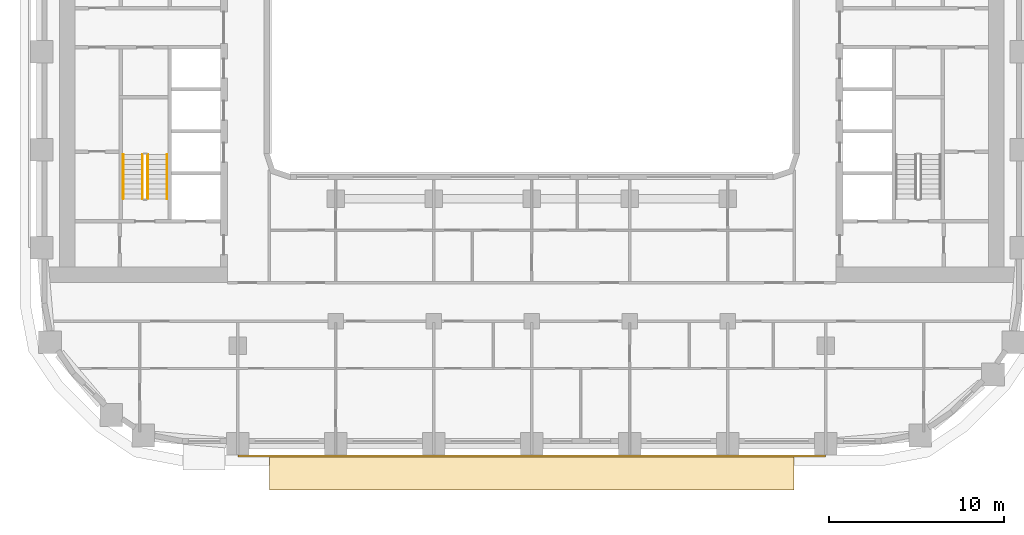
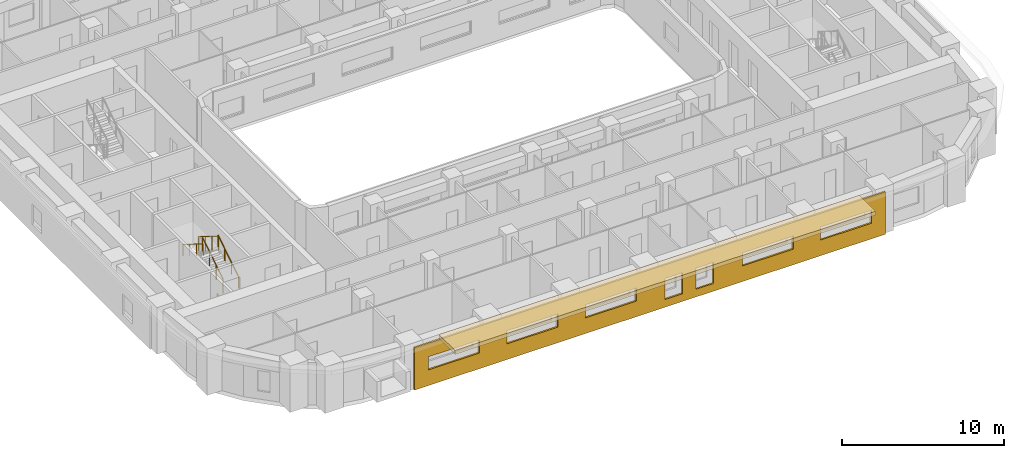
# One storey, part 12 of 21: 4 railings, 2 coverings.
"""IFC4 building model written with IfcOpenShell, lengths in metres."""

from ifc_helpers import new_model, si_unit, direction, frame, origin, origin_2d, place, context, subcontext, project, spatial, polyline, circle, outline, extrude, material, layer, layer_set, type_object, element, save


model = new_model("IFC4")

# Units and contexts
model_context = context("Model", 3, precision=1e-05, world=origin(), true_north=direction((0.0, 1.0)))
body_context = subcontext(model_context, "Body", "Model", "MODEL_VIEW")
ifc_project = project(units=[si_unit("LENGTHUNIT", "METRE"), si_unit("AREAUNIT", "SQUARE_METRE"), si_unit("VOLUMEUNIT", "CUBIC_METRE"), si_unit("PLANEANGLEUNIT", "RADIAN"), si_unit("MASSUNIT", "GRAM", prefix="KILO")], contexts=[model_context])

# Site, building, storey
site_placement = place(None, origin())
site = spatial("IfcSite", under=ifc_project, at=site_placement, CompositionType="ELEMENT")
building_placement = place(site_placement, origin())
building = spatial("IfcBuilding", under=site, at=building_placement, Name="Kiln Ring Residences", CompositionType="ELEMENT")
storey_placement = place(building_placement, frame((0.0, 0.0, 93.800048828125)))
storey = spatial("IfcBuildingStorey", under=building, at=storey_placement, Name="L23", CompositionType="ELEMENT", Elevation=93.800048828125)

# Railings
ifc_material_1 = material(Name="Stainless steel", Category="steel")
railing_type_1 = type_object("IfcRailingType", Name="CORE-STAIR-GUARD", PredefinedType="GUARDRAIL", material=ifc_material_1)
railing_1_placement = place(storey_placement, frame((-21.949951171875, -8.39990234375, 0.175048828125)))
element("IfcRailing", 1, at=railing_1_placement, inside=storey, type_object=railing_type_1, Name="L23 W-STS stair guard 1", PredefinedType="GUARDRAIL", context=body_context, shape_type="SweptSolid", body=[
    extrude(circle(Radius=0.02392578125, at=origin_2d()), frame((0.0, 0.0, 1.076171875), z_axis=(0.0, 0.848007534815, 0.529984170421), x_axis=(-1.0, 0.0, 0.0)), (0.0, 0.0, 1.0), 2.9716796875),
    extrude(circle(Radius=0.02099609375, at=origin_2d()), origin(), (0.0, 0.0, 1.0), 1.052001953125),
    extrude(circle(Radius=0.02099609375, at=origin_2d()), frame((0.0, 0.840087890625, 0.52490234375)), (0.0, 0.0, 1.0), 1.052001953125),
    extrude(circle(Radius=0.02099609375, at=origin_2d()), frame((0.0, 1.679931640625, 1.050048828125)), (0.0, 0.0, 1.0), 1.052001953125),
    extrude(circle(Radius=0.02099609375, at=origin_2d()), frame((0.0, 2.52001953125, 1.574951171875)), (0.0, 0.0, 1.0), 1.052001953125),
])
railing_2_placement = place(storey_placement, frame((-22.25, -5.8798828125, 1.925048828125)))
element("IfcRailing", 2, at=railing_2_placement, inside=storey, type_object=railing_type_1, Name="L23 W-STS stair guard 3", PredefinedType="GUARDRAIL", context=body_context, shape_type="SweptSolid", body=[
    extrude(circle(Radius=0.02392578125, at=origin_2d()), frame((0.0, 0.0, 1.076171875), z_axis=(0.0, -0.848007534815, 0.529984170421), x_axis=(1.0, 0.0, 0.0)), (0.0, 0.0, 1.0), 2.9716796875),
    extrude(circle(Radius=0.02099609375, at=origin_2d()), origin(), (0.0, 0.0, 1.0), 1.052001953125),
    extrude(circle(Radius=0.02099609375, at=origin_2d()), frame((0.0, -0.840087890625, 0.52490234375)), (0.0, 0.0, 1.0), 1.052001953125),
    extrude(circle(Radius=0.02099609375, at=origin_2d()), frame((0.0, -1.679931640625, 1.050048828125)), (0.0, 0.0, 1.0), 1.052001953125),
    extrude(circle(Radius=0.02099609375, at=origin_2d()), frame((0.0, -2.52001953125, 1.574951171875)), (0.0, 0.0, 1.0), 1.052001953125),
])
ifc_material_2 = material(Name="Stainless steel", Category="steel")
railing_type_2 = type_object("IfcRailingType", Name="CORE-STAIR-HANDRAIL", PredefinedType="HANDRAIL", material=ifc_material_2)
railing_3_placement = place(storey_placement, frame((-20.85009765625, -8.39990234375, 0.175048828125)))
element("IfcRailing", 3, at=railing_3_placement, inside=storey, type_object=railing_type_2, Name="L23 W-STS stair handrail 1", PredefinedType="HANDRAIL", context=body_context, shape_type="SweptSolid", body=[
    extrude(circle(Radius=0.02392578125, at=origin_2d()), frame((0.0, 0.0, 0.8759765625), z_axis=(0.0, 0.848007534815, 0.529984170421), x_axis=(-1.0, 0.0, 0.0)), (0.0, 0.0, 1.0), 2.9716796875),
    extrude(circle(Radius=0.02099609375, at=origin_2d()), origin(), (0.0, 0.0, 1.0), 0.851806640625),
    extrude(circle(Radius=0.02099609375, at=origin_2d()), frame((0.0, 0.840087890625, 0.52490234375)), (0.0, 0.0, 1.0), 0.851806640625),
    extrude(circle(Radius=0.02099609375, at=origin_2d()), frame((0.0, 1.679931640625, 1.050048828125)), (0.0, 0.0, 1.0), 0.851806640625),
    extrude(circle(Radius=0.02099609375, at=origin_2d()), frame((0.0, 2.52001953125, 1.574951171875)), (0.0, 0.0, 1.0), 0.851806640625),
])
railing_4_placement = place(storey_placement, frame((-23.35009765625, -5.8798828125, 1.925048828125)))
element("IfcRailing", 4, at=railing_4_placement, inside=storey, type_object=railing_type_2, Name="L23 W-STS stair handrail 2", PredefinedType="HANDRAIL", context=body_context, shape_type="SweptSolid", body=[
    extrude(circle(Radius=0.02392578125, at=origin_2d()), frame((0.0, 0.0, 0.8759765625), z_axis=(0.0, -0.848007534815, 0.529984170421), x_axis=(1.0, 0.0, 0.0)), (0.0, 0.0, 1.0), 2.9716796875),
    extrude(circle(Radius=0.02099609375, at=origin_2d()), origin(), (0.0, 0.0, 1.0), 0.851806640625),
    extrude(circle(Radius=0.02099609375, at=origin_2d()), frame((0.0, -0.840087890625, 0.52490234375)), (0.0, 0.0, 1.0), 0.851806640625),
    extrude(circle(Radius=0.02099609375, at=origin_2d()), frame((0.0, -1.679931640625, 1.050048828125)), (0.0, 0.0, 1.0), 0.851806640625),
    extrude(circle(Radius=0.02099609375, at=origin_2d()), frame((0.0, -2.52001953125, 1.574951171875)), (0.0, 0.0, 1.0), 0.851806640625),
])

# Coverings
ifc_material_3 = material(Name="Brick masonry, dark clay brick", Category="masonry")
ifc_layer_1 = layer(ifc_material_3, 0.1201171875)
ifc_layer_set_1 = layer_set([ifc_layer_1], Name="RAINSCREEN PANEL 120")
covering_type_1 = type_object("IfcCoveringType", Name="RAINSCREEN PANEL 120", PredefinedType="CLADDING", material=ifc_layer_set_1)
covering_1_placement = place(storey_placement, frame((-16.800048828125, -23.110107421875, 0.0), z_axis=(0.0, 0.0, 1.0), x_axis=(1.0, 0.0, 0.0)))
element("IfcCovering", 5, at=covering_1_placement, inside=storey, type_object=covering_type_1, Name="RAINSCREEN L23", PredefinedType="CLADDING", context=body_context, shape_type="SweptSolid", body=[
    extrude(outline(polyline([(0.0, 0.0), (33.60009765625, 0.0), (33.60009765625, 3.199951171875), (0.0, 3.199951171875), (0.0, 0.0)]), holes=[polyline([(19.107421875, 0.579833984375), (19.107421875, 2.169921875), (17.867431640625, 2.169921875), (17.867431640625, 0.579833984375), (19.107421875, 0.579833984375)]), polyline([(20.092529296875, 0.579833984375), (21.33251953125, 0.579833984375), (21.33251953125, 2.169921875), (20.092529296875, 2.169921875), (20.092529296875, 0.579833984375)]), polyline([(0.97998046875, 1.179931640625), (4.6201171875, 1.179931640625), (4.6201171875, 2.169921875), (0.97998046875, 2.169921875), (0.97998046875, 1.179931640625)]), polyline([(6.580078125, 1.179931640625), (10.219970703125, 1.179931640625), (10.219970703125, 2.169921875), (6.580078125, 2.169921875), (6.580078125, 1.179931640625)]), polyline([(12.179931640625, 1.179931640625), (15.820068359375, 1.179931640625), (15.820068359375, 2.169921875), (12.179931640625, 2.169921875), (12.179931640625, 1.179931640625)]), polyline([(23.3798828125, 1.179931640625), (27.02001953125, 1.179931640625), (27.02001953125, 2.169921875), (23.3798828125, 2.169921875), (23.3798828125, 1.179931640625)]), polyline([(28.97998046875, 1.179931640625), (32.6201171875, 1.179931640625), (32.6201171875, 2.169921875), (28.97998046875, 2.169921875), (28.97998046875, 1.179931640625)])]), frame((0.0, 0.06005859375, 0.0), z_axis=(0.0, -1.0, 0.0), x_axis=(1.0, 0.0, 0.0)), (0.0, 0.0, 1.0), 0.1201171875),
])
ifc_material_4 = material(Name="Black powder-coated steel", Category="steel")
ifc_layer_2 = layer(ifc_material_4, 0.300048828125)
ifc_layer_set_2 = layer_set([ifc_layer_2], Name="SUNSHADE BAND 2000")
covering_type_2 = type_object("IfcCoveringType", Name="SUNSHADE BAND 2000", PredefinedType="CLADDING", material=ifc_layer_set_2)
covering_2_placement = place(storey_placement, frame((0.0, 0.0, 3.199951171875)))
element("IfcCovering", 6, at=covering_2_placement, inside=storey, type_object=covering_type_2, Name="SUNSHADE BAND L23", PredefinedType="CLADDING", context=body_context, shape_type="SweptSolid", body=[
    extrude(outline(polyline([(-15.0, -25.050048828125), (15.0, -25.050048828125), (15.0, -23.050048828125), (-15.0, -23.050048828125), (-15.0, -25.050048828125)])), origin(), (0.0, 0.0, 1.0), 0.300048828125),
])

save(model, "model.ifc")
